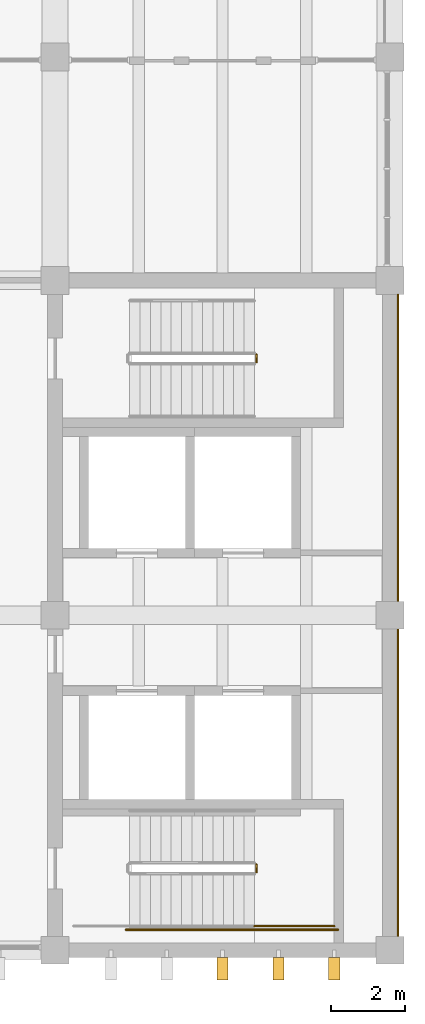
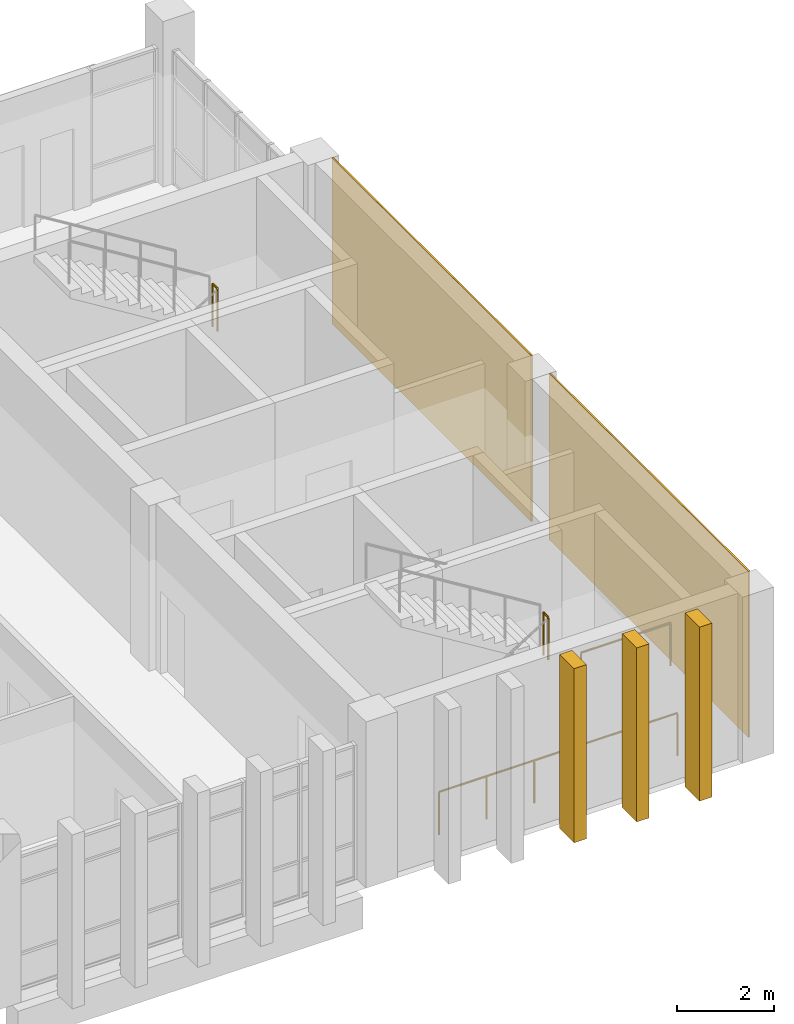
# One storey, part 15 of 15: 4 railings, 3 shading devices, 2 coverings.
"""IFC4 building model written with IfcOpenShell, lengths in metres."""

from ifc_helpers import new_model, si_unit, direction, frame, origin, origin_2d, place, context, subcontext, project, spatial, polyline, rectangle, circle, outline, extrude, source, transform, mapped, material, layer, layer_set, type_object, element, save


model = new_model("IFC4")

# Units and contexts
model_context = context("Model", 3, precision=1e-05, world=origin(), true_north=direction((0.0, 1.0)))
body_context = subcontext(model_context, "Body", "Model", "MODEL_VIEW")
ifc_project = project(units=[si_unit("LENGTHUNIT", "METRE"), si_unit("AREAUNIT", "SQUARE_METRE"), si_unit("VOLUMEUNIT", "CUBIC_METRE"), si_unit("PLANEANGLEUNIT", "RADIAN"), si_unit("MASSUNIT", "GRAM", prefix="KILO")], contexts=[model_context])

# Site, building, storey
site_placement = place(None, origin())
site = spatial("IfcSite", under=ifc_project, at=site_placement, CompositionType="ELEMENT")
building_placement = place(site_placement, origin())
building = spatial("IfcBuilding", under=site, at=building_placement, Name="Merrow Basin Faculty of Sciences", CompositionType="ELEMENT")
storey_placement = place(building_placement, frame((0.0, 0.0, 31.5)))
storey = spatial("IfcBuildingStorey", under=building, at=storey_placement, Name="L07", CompositionType="ELEMENT", Elevation=31.5)

# Railings
ifc_material_1 = material(Name="Steel ASTM A36", Category="steel")
railing_type = type_object("IfcRailingType", Name="Steel guard 1100", PredefinedType="GUARDRAIL", material=ifc_material_1)
for number, where, name in (
    (1, (50.409912109375, 157.800048828125, 2.25), "L07 ST-V5-S stair guard 2"),
    (2, (50.409912109375, 144.10009765625, 2.25), "L07 ST-V5-N stair guard 2"),
):
    element("IfcRailing", number, at=place(storey_placement, frame(where)), inside=storey, type_object=railing_type, Name=name, PredefinedType="GUARDRAIL", context=body_context, shape_type="SweptSolid", body=[
        extrude(circle(Radius=0.02392578125, at=origin_2d()), frame((0.0, 0.0, 1.076171875), z_axis=(0.0, 1.0, 0.0), x_axis=(-1.0, 0.0, 0.0)), (0.0, 0.0, 1.0), 0.199951171875),
        extrude(circle(Radius=0.02099609375, at=origin_2d()), origin(), (0.0, 0.0, 1.0), 1.052001953125),
        extrude(circle(Radius=0.02099609375, at=origin_2d()), frame((0.0, 0.199951171875, 0.0)), (0.0, 0.0, 1.0), 1.052001953125),
    ])
railing_1_placement = place(storey_placement, frame((50.360107421875, 142.64990234375, 2.25)))
element("IfcRailing", 3, at=railing_1_placement, inside=storey, type_object=railing_type, Name="L07 ST-V5-N stair guard 3", PredefinedType="GUARDRAIL", context=body_context, shape_type="SweptSolid", body=[
    extrude(circle(Radius=0.02392578125, at=origin_2d()), frame((0.0, 0.0, 1.076171875), z_axis=(1.0, 0.0, 0.0), x_axis=(0.0, 1.0, 0.0)), (0.0, 0.0, 1.0), 2.139892578125),
    extrude(circle(Radius=0.02099609375, at=origin_2d()), origin(), (0.0, 0.0, 1.0), 1.052001953125),
    extrude(circle(Radius=0.02099609375, at=origin_2d()), frame((1.06982421875, 0.0, 0.0)), (0.0, 0.0, 1.0), 1.052001953125),
    extrude(circle(Radius=0.02099609375, at=origin_2d()), frame((2.139892578125, 0.0, 0.0)), (0.0, 0.0, 1.0), 1.052001953125),
])
railing_2_placement = place(storey_placement, frame((46.89990234375, 142.550048828125, 0.0)))
element("IfcRailing", 4, at=railing_2_placement, inside=storey, type_object=railing_type, Name="L07 ST-V5-N stair guard 7", PredefinedType="GUARDRAIL", context=body_context, shape_type="SweptSolid", body=[
    extrude(circle(Radius=0.02392578125, at=origin_2d()), frame((0.0, 0.0, 1.076171875), z_axis=(1.0, 0.0, 0.0), x_axis=(0.0, 1.0, 0.0)), (0.0, 0.0, 1.0), 5.7001953125),
    extrude(circle(Radius=0.02099609375, at=origin_2d()), origin(), (0.0, 0.0, 1.0), 1.052001953125),
    extrude(circle(Radius=0.02099609375, at=origin_2d()), frame((1.14013671875, 0.0, 0.0)), (0.0, 0.0, 1.0), 1.052001953125),
    extrude(circle(Radius=0.02099609375, at=origin_2d()), frame((2.280029296875, 0.0, 0.0)), (0.0, 0.0, 1.0), 1.052001953125),
    extrude(circle(Radius=0.02099609375, at=origin_2d()), frame((3.420166015625, 0.0, 0.0)), (0.0, 0.0, 1.0), 1.052001953125),
    extrude(circle(Radius=0.02099609375, at=origin_2d()), frame((4.56005859375, 0.0, 0.0)), (0.0, 0.0, 1.0), 1.052001953125),
    extrude(circle(Radius=0.02099609375, at=origin_2d()), frame((5.7001953125, 0.0, 0.0)), (0.0, 0.0, 1.0), 1.052001953125),
])

# Coverings
ifc_material_2 = material(Name="White powder-coated aluminium", Category="aluminium")
ifc_layer = layer(ifc_material_2, 0.0400390625)
ifc_layer_set = layer_set([ifc_layer], Name="White precast cladding 40")
covering_type = type_object("IfcCoveringType", Name="White precast cladding 40", PredefinedType="CLADDING", material=ifc_layer_set)
for number, where, z_axis, x_axis, name in (
    (5, (54.219970703125, 146.5, 0.0), (0.0, 0.0, 1.0), (1.0, 0.0, 0.0), "White core cladding"),
    (6, (54.219970703125, 155.5, 0.0), (0.0, 0.0, 1.0), (1.0, 0.0, 0.0), "White core cladding"),
):
    element("IfcCovering", number, at=place(storey_placement, frame(where, z_axis=z_axis, x_axis=x_axis)), inside=storey, type_object=covering_type, Name=name, PredefinedType="CLADDING", context=body_context, shape_type="SweptSolid", body=[
        extrude(rectangle(XDim=0.0400390625, YDim=8.25, at=origin_2d()), origin(), (0.0, 0.0, 1.0), 4.199951171875),
    ])

# Shading devices
ifc_material_3 = material(Name="White precast concrete C50/60", Category="concrete")
shading_device_type = type_object("IfcShadingDeviceType", Name="White precast fin 300 x 600", PredefinedType="USERDEFINED", material=ifc_material_3)
shared_shape = source(origin(), body_context, "Body", "SweptSolid", [
    extrude(outline(polyline([(0.0, 0.0), (0.300048828125, 0.0), (0.300048828125, 4.39990234375), (0.0, 4.39990234375), (0.0, 0.0)])), origin(), (0.0, 0.0, 1.0), 0.60009765625),
])
for number, where, z_axis, x_axis, name in (
    (7, (49.35009765625, 141.800048828125, -0.25), (0.0, -1.0, 0.0), (1.0, 0.0, 0.0), "Brise-soleil fin SL07"),
    (8, (50.85009765625, 141.800048828125, -0.25), (0.0, -1.0, 0.0), (1.0, 0.0, 0.0), "Brise-soleil fin SL07"),
    (9, (52.35009765625, 141.800048828125, -0.25), (0.0, -1.0, 0.0), (1.0, 0.0, 0.0), "Brise-soleil fin SL07"),
):
    element("IfcShadingDevice", number, at=place(storey_placement, frame(where, z_axis=z_axis, x_axis=x_axis)), inside=storey, type_object=shading_device_type, Name=name, ObjectType="FIN", PredefinedType="USERDEFINED", context=body_context, shape_type="MappedRepresentation", body=[
        mapped(shared_shape, transform((0.0, 0.0, 0.0), scale=1.0)),
    ])

save(model, "model.ifc")
